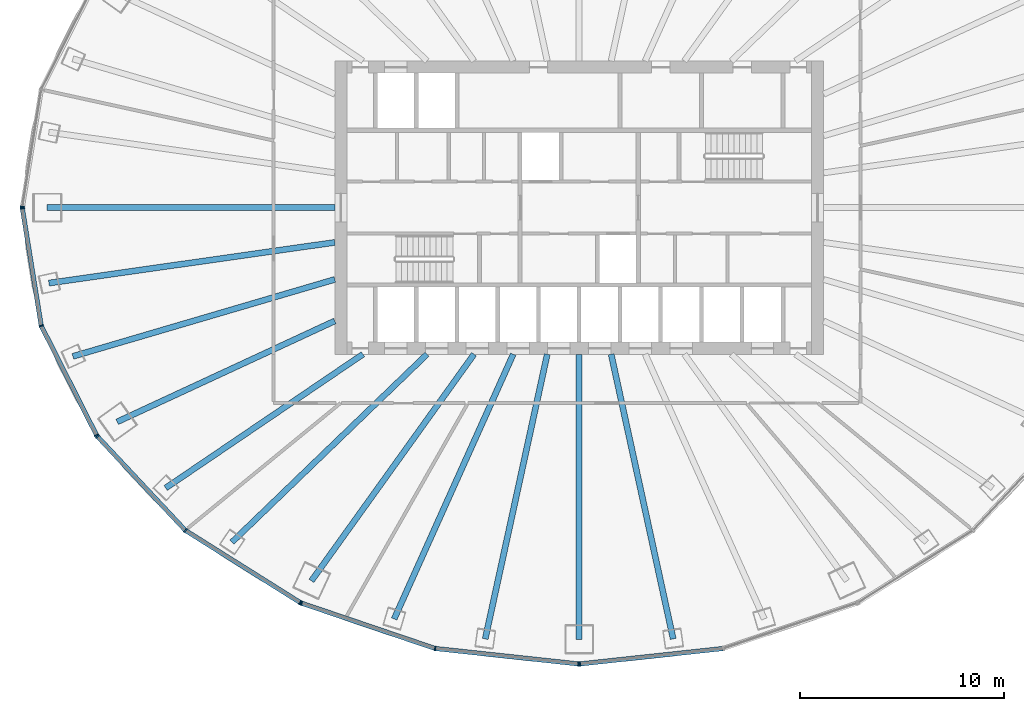
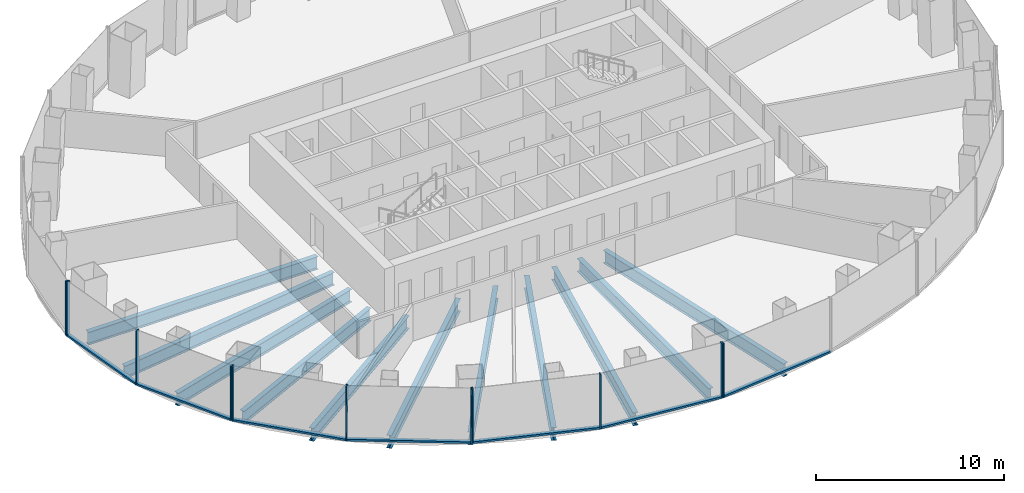
# One storey, part 2 of 11: 18 members, 11 beams, 5 elements without a shape of their own.
"""IFC4 building model written with IfcOpenShell, lengths in metres."""

from ifc_helpers import new_model, si_unit, direction, frame, origin, origin_2d, place, context, subcontext, project, spatial, rectangle, i_section, extrude, material, layer, layer_set, material_profile, profile_set, type_object, element, aggregate, save


model = new_model("IFC4")

# Units and contexts
model_context = context("Model", 3, precision=1e-05, world=origin(), true_north=direction((0.0, 1.0)))
body_context = subcontext(model_context, "Body", "Model", "MODEL_VIEW")
ifc_project = project(units=[si_unit("LENGTHUNIT", "METRE"), si_unit("AREAUNIT", "SQUARE_METRE"), si_unit("VOLUMEUNIT", "CUBIC_METRE"), si_unit("PLANEANGLEUNIT", "RADIAN"), si_unit("MASSUNIT", "GRAM", prefix="KILO")], contexts=[model_context])

# Site, building, storey
site_placement = place(None, origin())
site = spatial("IfcSite", under=ifc_project, at=site_placement, CompositionType="ELEMENT")
building_placement = place(site_placement, origin())
building = spatial("IfcBuilding", under=site, at=building_placement, Name="Siaravel Broadcast Tower", CompositionType="ELEMENT")
storey_placement = place(building_placement, frame((0.0, 0.0, 66.699951171875)))
storey = spatial("IfcBuildingStorey", under=building, at=storey_placement, Name="L15", CompositionType="ELEMENT", Elevation=66.699951171875)

# Beams
ifc_material_1 = material(Name="Steel S355", Category="steel")
ifc_material_profile_1 = material_profile(ifc_material_1, i_section(OverallWidth=0.291748046875, OverallDepth=0.8349609375, WebThickness=0.013916015625, FlangeThickness=0.018798828125, FilletRadius=0.017822265625, at=origin_2d()))
ifc_profile_set_1 = profile_set([ifc_material_profile_1], Name="Steel S355")
beam_type = type_object("IfcBeamType", Name="BM-UB 838x292x176", PredefinedType="BEAM", material=ifc_profile_set_1)
beam_1_placement = place(storey_placement, frame((-26.1337890625, 0.0, -0.5673828125), z_axis=(1.0, 0.0, 0.0), x_axis=(0.0, 1.0, 0.0)))
element("IfcBeam", 1, at=beam_1_placement, inside=storey, type_object=beam_type, Name="Radial beam RB19", PredefinedType="BEAM", context=body_context, shape_type="SweptSolid", body=[
    extrude(i_section(OverallWidth=0.291748046875, OverallDepth=0.8349609375, WebThickness=0.013916015625, FlangeThickness=0.018798828125, FilletRadius=0.017822265625, at=origin_2d()), origin(), (0.0, 0.0, 1.0), 14.1337890625),
])
beam_2_placement = place(storey_placement, frame((-26.037841796875, -3.705322265625, -0.5673828125), z_axis=(0.990024425, 0.140895839, 0.0), x_axis=(-0.140895839, 0.990024425, 0.0)))
element("IfcBeam", 2, at=beam_2_placement, inside=storey, type_object=beam_type, Name="Radial beam RB20", PredefinedType="BEAM", context=body_context, shape_type="SweptSolid", body=[
    extrude(i_section(OverallWidth=0.291748046875, OverallDepth=0.8349609375, WebThickness=0.013916015625, FlangeThickness=0.018798828125, FilletRadius=0.017822265625, at=origin_2d()), origin(), (0.0, 0.0, 1.0), 14.17919921875),
])
beam_3_placement = place(storey_placement, frame((-24.8603515625, -7.3046875, -0.5673828125), z_axis=(0.959439137, 0.281915843, 0.0), x_axis=(-0.281915843, 0.959439137, 0.0)))
element("IfcBeam", 3, at=beam_3_placement, inside=storey, type_object=beam_type, Name="Radial beam RB21", PredefinedType="BEAM", context=body_context, shape_type="SweptSolid", body=[
    extrude(i_section(OverallWidth=0.291748046875, OverallDepth=0.8349609375, WebThickness=0.013916015625, FlangeThickness=0.018798828125, FilletRadius=0.017822265625, at=origin_2d()), origin(), (0.0, 0.0, 1.0), 13.404052734375),
])
beam_4_placement = place(storey_placement, frame((-22.68603515625, -10.52001953125, -0.5673828125), z_axis=(0.907205087, 0.420688637, 0.0), x_axis=(-0.420688637, 0.907205087, 0.0)))
element("IfcBeam", 4, at=beam_4_placement, inside=storey, type_object=beam_type, Name="Radial beam RB22", PredefinedType="BEAM", context=body_context, shape_type="SweptSolid", body=[
    extrude(i_section(OverallWidth=0.291748046875, OverallDepth=0.8349609375, WebThickness=0.013916015625, FlangeThickness=0.018798828125, FilletRadius=0.017822265625, at=origin_2d()), origin(), (0.0, 0.0, 1.0), 11.779052734375),
])
beam_5_placement = place(storey_placement, frame((-20.303466796875, -13.7666015625, -0.5673828125), z_axis=(0.827675152, 0.561207486, 0.0), x_axis=(-0.561207486, 0.827675152, 0.0)))
element("IfcBeam", 5, at=beam_5_placement, inside=storey, type_object=beam_type, Name="Radial beam RB23", PredefinedType="BEAM", context=body_context, shape_type="SweptSolid", body=[
    extrude(i_section(OverallWidth=0.291748046875, OverallDepth=0.8349609375, WebThickness=0.013916015625, FlangeThickness=0.018798828125, FilletRadius=0.017822265625, at=origin_2d()), origin(), (0.0, 0.0, 1.0), 11.700927734375),
])
beam_6_placement = place(storey_placement, frame((-17.052490234375, -16.42919921875, -0.5673828125), z_axis=(0.720143916, 0.693824718, 0.0), x_axis=(-0.693824718, 0.720143916, 0.0)))
element("IfcBeam", 6, at=beam_6_placement, inside=storey, type_object=beam_type, Name="Radial beam RB24", PredefinedType="BEAM", context=body_context, shape_type="SweptSolid", body=[
    extrude(i_section(OverallWidth=0.291748046875, OverallDepth=0.8349609375, WebThickness=0.013916015625, FlangeThickness=0.018798828125, FilletRadius=0.017822265625, at=origin_2d()), origin(), (0.0, 0.0, 1.0), 13.302001953125),
])
beam_7_placement = place(storey_placement, frame((-13.146484375, -18.324462890625, -0.5673828125), z_axis=(0.582923743, 0.812526867, 0.0), x_axis=(-0.812526867, 0.582923743, 0.0)))
element("IfcBeam", 7, at=beam_7_placement, inside=storey, type_object=beam_type, Name="Radial beam RB25", PredefinedType="BEAM", context=body_context, shape_type="SweptSolid", body=[
    extrude(i_section(OverallWidth=0.291748046875, OverallDepth=0.8349609375, WebThickness=0.013916015625, FlangeThickness=0.018798828125, FilletRadius=0.017822265625, at=origin_2d()), origin(), (0.0, 0.0, 1.0), 13.691162109375),
])
beam_8_placement = place(storey_placement, frame((-9.0859375, -20.195556640625, -0.5673828125), z_axis=(0.410286316, 0.911956764, 0.0), x_axis=(-0.911956764, 0.410286316, 0.0)))
element("IfcBeam", 8, at=beam_8_placement, inside=storey, type_object=beam_type, Name="Radial beam RB26", PredefinedType="BEAM", context=body_context, shape_type="SweptSolid", body=[
    extrude(i_section(OverallWidth=0.291748046875, OverallDepth=0.8349609375, WebThickness=0.013916015625, FlangeThickness=0.018798828125, FilletRadius=0.017822265625, at=origin_2d()), origin(), (0.0, 0.0, 1.0), 14.250244140625),
])
beam_9_placement = place(storey_placement, frame((-4.61474609375, -21.1767578125, -0.5673828125), z_axis=(0.212911439, 0.977071502, 0.0), x_axis=(-0.977071502, 0.212911439, 0.0)))
element("IfcBeam", 9, at=beam_9_placement, inside=storey, type_object=beam_type, Name="Radial beam RB27", PredefinedType="BEAM", context=body_context, shape_type="SweptSolid", body=[
    extrude(i_section(OverallWidth=0.291748046875, OverallDepth=0.8349609375, WebThickness=0.013916015625, FlangeThickness=0.018798828125, FilletRadius=0.017822265625, at=origin_2d()), origin(), (0.0, 0.0, 1.0), 14.3046875),
])
beam_10_placement = place(storey_placement, frame((0.0, -21.20751953125, -0.5673828125), z_axis=(0.0, 1.0, 0.0), x_axis=(-1.0, 0.0, 0.0)))
element("IfcBeam", 10, at=beam_10_placement, inside=storey, type_object=beam_type, Name="Radial beam RB28", PredefinedType="BEAM", context=body_context, shape_type="SweptSolid", body=[
    extrude(i_section(OverallWidth=0.291748046875, OverallDepth=0.8349609375, WebThickness=0.013916015625, FlangeThickness=0.018798828125, FilletRadius=0.017822265625, at=origin_2d()), origin(), (0.0, 0.0, 1.0), 14.007568359375),
])
beam_11_placement = place(storey_placement, frame((4.61474609375, -21.1767578125, -0.5673828125), z_axis=(-0.212911439, 0.977071502, 0.0), x_axis=(-0.977071502, -0.212911439, 0.0)))
element("IfcBeam", 11, at=beam_11_placement, inside=storey, type_object=beam_type, Name="Radial beam RB29", PredefinedType="BEAM", context=body_context, shape_type="SweptSolid", body=[
    extrude(i_section(OverallWidth=0.291748046875, OverallDepth=0.8349609375, WebThickness=0.013916015625, FlangeThickness=0.018798828125, FilletRadius=0.017822265625, at=origin_2d()), origin(), (0.0, 0.0, 1.0), 14.3046875),
])

# Curtain wall, member
ifc_material_2 = material(Name="Aluminium 6063-T6", Category="aluminium")
ifc_layer = layer(ifc_material_2, 0.219970703125)
ifc_layer_set = layer_set([ifc_layer], Name="Aluminium 6063-T6")
curtain_wall_type = type_object("IfcCurtainWallType", Name="Unitised curtain wall, zone 1", PredefinedType="NOTDEFINED", material=ifc_layer_set)
curtain_wall_1_placement = place(storey_placement, origin())
curtain_wall_1 = element("IfcCurtainWall", 12, at=curtain_wall_1_placement, inside=storey, type_object=curtain_wall_type, Name="L15 Unitised curtain wall, zone 1 06", PredefinedType="NOTDEFINED")
ifc_material_profile_2 = material_profile(ifc_material_2, rectangle(XDim=0.219970703125, YDim=0.070068359375, at=origin_2d()))
ifc_profile_set_2 = profile_set([ifc_material_profile_2], Name="Aluminium 6063-T6")
member_type_1 = type_object("IfcMemberType", Name="CW-Z1 mullion", PredefinedType="MULLION", material=ifc_profile_set_2)
member_1_placement = place(storey_placement, frame((-27.34228515625, 0.03466796875, 0.0), z_axis=(0.0, 0.0, 1.0), x_axis=(0.987329063, -0.158686233, 0.0)))
member_1 = element("IfcMember", 13, at=member_1_placement, type_object=member_type_1, Name="CW-Z1 mullion 3", PredefinedType="MULLION", context=body_context, shape_type="SweptSolid", body=[
    extrude(rectangle(XDim=0.219970703125, YDim=0.070068359375, at=origin_2d()), origin(), (0.0, 0.0, 1.0), 3.550048828125),
])
aggregate(curtain_wall_1, [member_1])

# Curtain wall, members
curtain_wall_2_placement = place(storey_placement, origin())
curtain_wall_2 = element("IfcCurtainWall", 14, at=curtain_wall_2_placement, inside=storey, type_object=curtain_wall_type, Name="L15 Unitised curtain wall, zone 1 07", PredefinedType="NOTDEFINED")
member_2_placement = place(storey_placement, frame((-27.34228515625, -0.03466796875, 0.0), z_axis=(0.0, 0.0, 1.0), x_axis=(0.987329063, 0.158686233, 0.0)))
member_2 = element("IfcMember", 15, at=member_2_placement, type_object=member_type_1, Name="CW-Z1 mullion 1", PredefinedType="MULLION", context=body_context, shape_type="SweptSolid", body=[
    extrude(rectangle(XDim=0.219970703125, YDim=0.070068359375, at=origin_2d()), origin(), (0.0, 0.0, 1.0), 3.550048828125),
])
member_3_placement = place(storey_placement, frame((-26.415283203125, -5.802734375, 0.0), z_axis=(0.0, 0.0, 1.0), x_axis=(0.95117683, 0.30864646, 0.0)))
member_3 = element("IfcMember", 16, at=member_3_placement, type_object=member_type_1, Name="CW-Z1 mullion 2", PredefinedType="MULLION", context=body_context, shape_type="SweptSolid", body=[
    extrude(rectangle(XDim=0.219970703125, YDim=0.070068359375, at=origin_2d()), origin(), (0.0, 0.0, 1.0), 3.550048828125),
])
member_4_placement = place(storey_placement, frame((-23.697265625, -11.177490234375, 0.0), z_axis=(0.0, 0.0, 1.0), x_axis=(0.892391293, 0.451262428, 0.0)))
member_4 = element("IfcMember", 17, at=member_4_placement, type_object=member_type_1, Name="CW-Z1 mullion 3", PredefinedType="MULLION", context=body_context, shape_type="SweptSolid", body=[
    extrude(rectangle(XDim=0.219970703125, YDim=0.070068359375, at=origin_2d()), origin(), (0.0, 0.0, 1.0), 3.550048828125),
])

curtain_wall_3_placement = place(storey_placement, origin())
curtain_wall_3 = element("IfcCurtainWall", 18, at=curtain_wall_3_placement, inside=storey, type_object=curtain_wall_type, Name="L15 Unitised curtain wall, zone 1 08", PredefinedType="NOTDEFINED")
member_5_placement = place(storey_placement, frame((-23.657470703125, -11.234375, 0.0), z_axis=(0.0, 0.0, 1.0), x_axis=(0.729803931, 0.683656509, 0.0)))
member_5 = element("IfcMember", 19, at=member_5_placement, type_object=member_type_1, Name="CW-Z1 mullion 1", PredefinedType="MULLION", context=body_context, shape_type="SweptSolid", body=[
    extrude(rectangle(XDim=0.219970703125, YDim=0.070068359375, at=origin_2d()), origin(), (0.0, 0.0, 1.0), 3.550048828125),
])
member_6_placement = place(storey_placement, frame((-19.333984375, -15.849609375, 0.0), z_axis=(0.0, 0.0, 1.0), x_axis=(0.636217305, 0.77150991, 0.0)))
member_6 = element("IfcMember", 20, at=member_6_placement, type_object=member_type_1, Name="CW-Z1 mullion 2", PredefinedType="MULLION", context=body_context, shape_type="SweptSolid", body=[
    extrude(rectangle(XDim=0.219970703125, YDim=0.070068359375, at=origin_2d()), origin(), (0.0, 0.0, 1.0), 3.550048828125),
])
member_7_placement = place(storey_placement, frame((-13.699951171875, -19.390869140625, 0.0), z_axis=(0.0, 0.0, 1.0), x_axis=(0.532147932, 0.846651392, 0.0)))
member_7 = element("IfcMember", 21, at=member_7_placement, type_object=member_type_1, Name="CW-Z1 mullion 3", PredefinedType="MULLION", context=body_context, shape_type="SweptSolid", body=[
    extrude(rectangle(XDim=0.219970703125, YDim=0.070068359375, at=origin_2d()), origin(), (0.0, 0.0, 1.0), 3.550048828125),
])

curtain_wall_4_placement = place(storey_placement, origin())
curtain_wall_4 = element("IfcCurtainWall", 22, at=curtain_wall_4_placement, inside=storey, type_object=curtain_wall_type, Name="L15 Unitised curtain wall, zone 1 09", PredefinedType="NOTDEFINED")
member_8_placement = place(storey_placement, frame((-13.63720703125, -19.420654296875, 0.0), z_axis=(0.0, 0.0, 1.0), x_axis=(0.321299732, 0.946977551, 0.0)))
member_8 = element("IfcMember", 23, at=member_8_placement, type_object=member_type_1, Name="CW-Z1 mullion 1", PredefinedType="MULLION", context=body_context, shape_type="SweptSolid", body=[
    extrude(rectangle(XDim=0.219970703125, YDim=0.070068359375, at=origin_2d()), origin(), (0.0, 0.0, 1.0), 3.550048828125),
])
member_9_placement = place(storey_placement, frame((-7.075927734375, -21.646728515625, 0.0), z_axis=(0.0, 0.0, 1.0), x_axis=(0.215557455, 0.976491159, 0.0)))
member_9 = element("IfcMember", 24, at=member_9_placement, type_object=member_type_1, Name="CW-Z1 mullion 2", PredefinedType="MULLION", context=body_context, shape_type="SweptSolid", body=[
    extrude(rectangle(XDim=0.219970703125, YDim=0.070068359375, at=origin_2d()), origin(), (0.0, 0.0, 1.0), 3.550048828125),
])
member_10_placement = place(storey_placement, frame((-0.034912109375, -22.406005859375, 0.0), z_axis=(0.0, 0.0, 1.0), x_axis=(0.107217176, 0.994235625, 0.0)))
member_10 = element("IfcMember", 25, at=member_10_placement, type_object=member_type_1, Name="CW-Z1 mullion 3", PredefinedType="MULLION", context=body_context, shape_type="SweptSolid", body=[
    extrude(rectangle(XDim=0.219970703125, YDim=0.070068359375, at=origin_2d()), origin(), (0.0, 0.0, 1.0), 3.550048828125),
])

# Curtain wall, member
curtain_wall_5_placement = place(storey_placement, origin())
curtain_wall_5 = element("IfcCurtainWall", 26, at=curtain_wall_5_placement, inside=storey, type_object=curtain_wall_type, Name="L15 Unitised curtain wall, zone 1 10", PredefinedType="NOTDEFINED")
member_11_placement = place(storey_placement, frame((0.034912109375, -22.406005859375, 0.0), z_axis=(0.0, 0.0, 1.0), x_axis=(-0.107217176, 0.994235625, 0.0)))
member_11 = element("IfcMember", 27, at=member_11_placement, type_object=member_type_1, Name="CW-Z1 mullion 1", PredefinedType="MULLION", context=body_context, shape_type="SweptSolid", body=[
    extrude(rectangle(XDim=0.219970703125, YDim=0.070068359375, at=origin_2d()), origin(), (0.0, 0.0, 1.0), 3.550048828125),
])

# Member
ifc_material_profile_3 = material_profile(ifc_material_2, rectangle(XDim=0.219970703125, YDim=0.1201171875, at=origin_2d()))
ifc_profile_set_3 = profile_set([ifc_material_profile_3], Name="Aluminium 6063-T6")
member_type_2 = type_object("IfcMemberType", Name="CW-Z1 transom", PredefinedType="USERDEFINED", material=ifc_profile_set_3)
member_12_placement = place(storey_placement, frame((-27.336669921875, -0.069091796875, 0.06005859375), z_axis=(0.158689875, -0.987328478, 0.0), x_axis=(0.987328478, 0.158689875, 0.0)))
member_12 = element("IfcMember", 28, at=member_12_placement, type_object=member_type_2, Name="CW-Z1 transom 1", ObjectType="TRANSOM", PredefinedType="USERDEFINED", context=body_context, shape_type="SweptSolid", body=[
    extrude(rectangle(XDim=0.219970703125, YDim=0.1201171875, at=origin_2d()), origin(), (0.0, 0.0, 1.0), 5.7724609375),
])

member_13_placement = place(storey_placement, frame((-26.3994140625, -5.833984375, 0.06005859375), z_axis=(0.451293706, -0.892375477, 0.0), x_axis=(0.892375477, 0.451293706, 0.0)))
member_13 = element("IfcMember", 29, at=member_13_placement, type_object=member_type_2, Name="CW-Z1 transom 2", ObjectType="TRANSOM", PredefinedType="USERDEFINED", context=body_context, shape_type="SweptSolid", body=[
    extrude(rectangle(XDim=0.219970703125, YDim=0.1201171875, at=origin_2d()), origin(), (0.0, 0.0, 1.0), 5.952880859375),
])

aggregate(curtain_wall_2, [member_2, member_3, member_4, member_12, member_13])

member_14_placement = place(storey_placement, frame((-23.633544921875, -11.259765625, 0.06005859375), z_axis=(0.683638503, -0.729820798, 0.0), x_axis=(0.729820798, 0.683638503, 0.0)))
member_14 = element("IfcMember", 30, at=member_14_placement, type_object=member_type_2, Name="CW-Z1 transom 1", ObjectType="TRANSOM", PredefinedType="USERDEFINED", context=body_context, shape_type="SweptSolid", body=[
    extrude(rectangle(XDim=0.219970703125, YDim=0.1201171875, at=origin_2d()), origin(), (0.0, 0.0, 1.0), 6.25390625),
])

member_15_placement = place(storey_placement, frame((-19.304443359375, -15.8681640625, 0.06005859375), z_axis=(0.846643708, -0.532160155, 0.0), x_axis=(0.532160155, 0.846643708, 0.0)))
member_15 = element("IfcMember", 31, at=member_15_placement, type_object=member_type_2, Name="CW-Z1 transom 2", ObjectType="TRANSOM", PredefinedType="USERDEFINED", context=body_context, shape_type="SweptSolid", body=[
    extrude(rectangle(XDim=0.219970703125, YDim=0.1201171875, at=origin_2d()), origin(), (0.0, 0.0, 1.0), 6.584716796875),
])

aggregate(curtain_wall_3, [member_5, member_6, member_7, member_14, member_15])

member_16_placement = place(storey_placement, frame((-13.60400390625, -19.431884765625, 0.06005859375), z_axis=(0.946978894, -0.321295775, 0.0), x_axis=(0.321295775, 0.946978894, 0.0)))
member_16 = element("IfcMember", 32, at=member_16_placement, type_object=member_type_2, Name="CW-Z1 transom 1", ObjectType="TRANSOM", PredefinedType="USERDEFINED", context=body_context, shape_type="SweptSolid", body=[
    extrude(rectangle(XDim=0.219970703125, YDim=0.1201171875, at=origin_2d()), origin(), (0.0, 0.0, 1.0), 6.8583984375),
])

member_17_placement = place(storey_placement, frame((-7.041015625, -21.650634765625, 0.06005859375), z_axis=(0.994236875, -0.10720558, 0.0), x_axis=(0.10720558, 0.994236875, 0.0)))
member_17 = element("IfcMember", 33, at=member_17_placement, type_object=member_type_2, Name="CW-Z1 transom 2", ObjectType="TRANSOM", PredefinedType="USERDEFINED", context=body_context, shape_type="SweptSolid", body=[
    extrude(rectangle(XDim=0.219970703125, YDim=0.1201171875, at=origin_2d()), origin(), (0.0, 0.0, 1.0), 7.011962890625),
])

aggregate(curtain_wall_4, [member_8, member_9, member_10, member_16, member_17])

member_18_placement = place(storey_placement, frame((0.069580078125, -22.40234375, 0.06005859375), z_axis=(0.994236875, 0.10720558, 0.0), x_axis=(-0.10720558, 0.994236875, 0.0)))
member_18 = element("IfcMember", 34, at=member_18_placement, type_object=member_type_2, Name="CW-Z1 transom 1", ObjectType="TRANSOM", PredefinedType="USERDEFINED", context=body_context, shape_type="SweptSolid", body=[
    extrude(rectangle(XDim=0.219970703125, YDim=0.1201171875, at=origin_2d()), origin(), (0.0, 0.0, 1.0), 7.011962890625),
])

aggregate(curtain_wall_5, [member_11, member_18])

save(model, "model.ifc")
